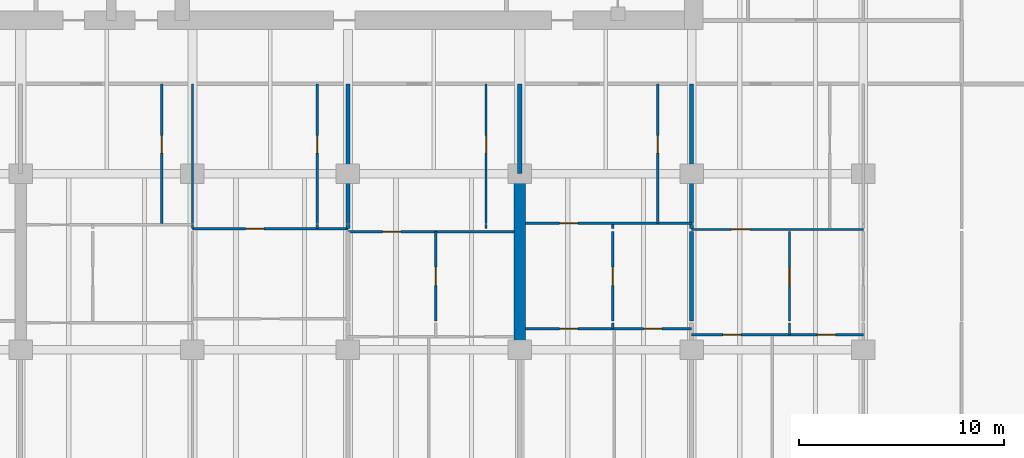
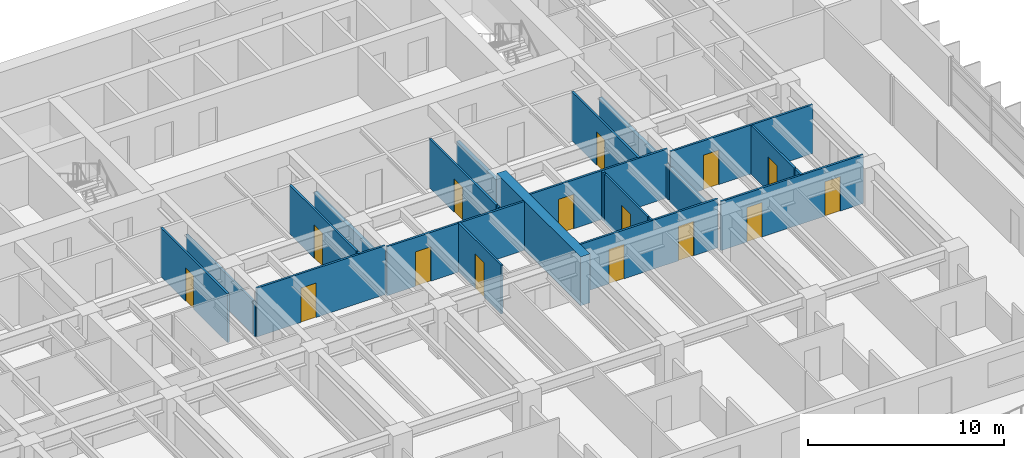
# One storey, part 9 of 18: 27 walls, 15 doors, 15 openings.
"""IFC4 building model written with IfcOpenShell, lengths in metres."""

from ifc_helpers import new_model, si_unit, direction, frame, frame_2d, origin, place, context, subcontext, project, spatial, rectangle, extrude, material, layer, layer_set, type_object, element, fill, save


model = new_model("IFC4")

# Units and contexts
model_context = context("Model", 3, precision=1e-05, world=origin(), true_north=direction((0.0, 1.0)))
body_context = subcontext(model_context, "Body", "Model", "MODEL_VIEW")
ifc_project = project(units=[si_unit("LENGTHUNIT", "METRE"), si_unit("AREAUNIT", "SQUARE_METRE"), si_unit("VOLUMEUNIT", "CUBIC_METRE"), si_unit("PLANEANGLEUNIT", "RADIAN"), si_unit("MASSUNIT", "GRAM", prefix="KILO")], contexts=[model_context])

# Site, building, storey
site_placement = place(None, origin())
site = spatial("IfcSite", under=ifc_project, at=site_placement, CompositionType="ELEMENT")
building_placement = place(site_placement, origin())
building = spatial("IfcBuilding", under=site, at=building_placement, Name="Caelmar Bay Residences", CompositionType="ELEMENT")
storey_placement = place(building_placement, frame((0.0, 0.0, 56.39990234375)))
storey = spatial("IfcBuildingStorey", under=building, at=storey_placement, Name="L14", CompositionType="ELEMENT", Elevation=56.39990234375)

# Wall
ifc_material_1 = material(Name="Concrete f'c 70 MPa (10,000 psi)", Category="concrete")
ifc_layer_1 = layer(ifc_material_1, 0.550048828125)
ifc_layer_set_1 = layer_set([ifc_layer_1], Name="Concrete f'c 70 MPa (10,000 psi)")
wall_type_1 = type_object("IfcWallType", Name="SW-XSLB-550", PredefinedType="SHEAR", material=ifc_layer_set_1)
wall_1_placement = place(storey_placement, frame((51.10009765625, 20.800048828125, 0.0), z_axis=(0.0, 0.0, 1.0), x_axis=(0.0, 1.0, 0.0)))
element("IfcWall", 1, at=wall_1_placement, inside=storey, type_object=wall_type_1, Name="L14 Transverse Cross-Slab Shear Wall E8", PredefinedType="SHEAR", context=body_context, shape_type="SweptSolid", body=[
    extrude(rectangle(XDim=8.599853515625, YDim=0.550048828125, at=frame_2d((4.2998046875, 0.0))), origin(), (0.0, 0.0, 1.0), 3.050048828125),
])

# Wall, opening, door
ifc_material_2 = material(Name="Acoustic metal-stud gypsum partition 120 mm")
ifc_layer_2 = layer(ifc_material_2, 0.1201171875)
ifc_layer_set_2 = layer_set([ifc_layer_2], Name="Acoustic metal-stud gypsum partition 120 mm")
wall_type_2 = type_object("IfcWallType", Name="W-PRT-120", PredefinedType="PARTITIONING", material=ifc_layer_set_2)
wall_2_placement = place(storey_placement, frame((33.60009765625, 26.97998046875, 0.0), z_axis=(0.0, 0.0, 1.0), x_axis=(0.0, 1.0, 0.0)))
wall_2 = element("IfcWall", 2, at=wall_2_placement, inside=storey, type_object=wall_type_2, Name="L14 Partition Wall V036", PredefinedType="PARTITIONING", context=body_context, shape_type="SweptSolid", body=[
    extrude(rectangle(XDim=6.820068359375, YDim=0.1201171875, at=frame_2d((3.41015625, 0.0))), origin(), (0.0, 0.0, 1.0), 3.050048828125),
])
opening_1_placement = place(wall_2_placement, frame((3.43505859375, 0.0, 0.0)))
opening_1 = element("IfcOpeningElement", 3, at=opening_1_placement, cuts=wall_2, Name="Opening D-L14-133", PredefinedType="OPENING", context=body_context, shape_type="SweptSolid", body=[
    extrude(rectangle(XDim=0.85009765625, YDim=2.10009765625, at=frame_2d((0.425048828125, 1.050048828125))), frame((0.0, 0.070068359375, 0.0), z_axis=(0.0, -1.0, 0.0), x_axis=(1.0, 0.0, 0.0)), (0.0, 0.0, 1.0), 0.14013671875),
])
ifc_material_3 = material(Name="Solid walnut timber interior door leaf and frame", Category="wood")
ifc_layer_3 = layer(ifc_material_3, 0.050048828125)
ifc_layer_set_3 = layer_set([ifc_layer_3], Name="Solid walnut timber interior door leaf and frame")
door_type_1 = type_object("IfcDoorType", Name="D-BATH-850", OperationType="NOTDEFINED", PredefinedType="DOOR", material=ifc_layer_set_3)
door_1_placement = place(opening_1_placement, origin())
door_1 = element("IfcDoor", 4, at=door_1_placement, inside=storey, type_object=door_type_1, Name="L14 Residence 02 Guest Bathroom Door", OperationType="SINGLE_SWING_RIGHT", OverallHeight=2.10009765625, OverallWidth=0.85009765625, PredefinedType="DOOR", context=body_context, shape_type="SweptSolid", body=[
    extrude(rectangle(XDim=0.85009765625, YDim=2.10009765625, at=frame_2d((0.425048828125, 1.050048828125))), frame((0.0, 0.02490234375, 0.0), z_axis=(0.0, -1.0, 0.0), x_axis=(1.0, 0.0, 0.0)), (0.0, 0.0, 1.0), 0.050048828125),
])
fill(opening_1, door_1)

# Walls
wall_3_placement = place(storey_placement, frame((35.10009765625, 26.719970703125, 0.0), z_axis=(0.0, 0.0, 1.0), x_axis=(0.0, 1.0, 0.0)))
element("IfcWall", 5, at=wall_3_placement, inside=storey, type_object=wall_type_2, Name="L14 Partition Wall V040", PredefinedType="PARTITIONING", context=body_context, shape_type="SweptSolid", body=[
    extrude(rectangle(XDim=0.199951171875, YDim=0.1201171875, at=frame_2d((0.10009765625, 0.0))), origin(), (0.0, 0.0, 1.0), 2.110107421875),
])
wall_4_placement = place(storey_placement, frame((35.10009765625, 26.97998046875, 0.0), z_axis=(0.0, 0.0, 1.0), x_axis=(0.0, 1.0, 0.0)))
element("IfcWall", 6, at=wall_4_placement, inside=storey, type_object=wall_type_2, Name="L14 Partition Wall V041", PredefinedType="PARTITIONING", context=body_context, shape_type="SweptSolid", body=[
    extrude(rectangle(XDim=6.820068359375, YDim=0.1201171875, at=frame_2d((3.41015625, 0.0))), origin(), (0.0, 0.0, 1.0), 2.110107421875),
])
wall_5_placement = place(storey_placement, frame((41.199951171875, 26.719970703125, 0.0), z_axis=(0.0, 0.0, 1.0), x_axis=(0.0, 1.0, 0.0)))
element("IfcWall", 7, at=wall_5_placement, inside=storey, type_object=wall_type_2, Name="L14 Partition Wall V044", PredefinedType="PARTITIONING", context=body_context, shape_type="SweptSolid", body=[
    extrude(rectangle(XDim=0.199951171875, YDim=0.1201171875, at=frame_2d((0.10009765625, 0.0))), origin(), (0.0, 0.0, 1.0), 3.050048828125),
])

# Wall, opening, door
wall_6_placement = place(storey_placement, frame((41.199951171875, 26.97998046875, 0.0), z_axis=(0.0, 0.0, 1.0), x_axis=(0.0, 1.0, 0.0)))
wall_6 = element("IfcWall", 8, at=wall_6_placement, inside=storey, type_object=wall_type_2, Name="L14 Partition Wall V045", PredefinedType="PARTITIONING", context=body_context, shape_type="SweptSolid", body=[
    extrude(rectangle(XDim=6.820068359375, YDim=0.1201171875, at=frame_2d((3.41015625, 0.0))), origin(), (0.0, 0.0, 1.0), 3.050048828125),
])
opening_2_placement = place(wall_6_placement, frame((3.43505859375, 0.0, 0.0)))
opening_2 = element("IfcOpeningElement", 9, at=opening_2_placement, cuts=wall_6, Name="Opening D-L14-139", PredefinedType="OPENING", context=body_context, shape_type="SweptSolid", body=[
    extrude(rectangle(XDim=0.85009765625, YDim=2.10009765625, at=frame_2d((0.425048828125, 1.050048828125))), frame((0.0, 0.070068359375, 0.0), z_axis=(0.0, -1.0, 0.0), x_axis=(1.0, 0.0, 0.0)), (0.0, 0.0, 1.0), 0.14013671875),
])
door_2_placement = place(opening_2_placement, origin())
door_2 = element("IfcDoor", 10, at=door_2_placement, inside=storey, type_object=door_type_1, Name="L14 Residence 02 En-Suite Bathroom 1 Door", OperationType="SINGLE_SWING_RIGHT", OverallHeight=2.10009765625, OverallWidth=0.85009765625, PredefinedType="DOOR", context=body_context, shape_type="SweptSolid", body=[
    extrude(rectangle(XDim=0.85009765625, YDim=2.10009765625, at=frame_2d((0.425048828125, 1.050048828125))), frame((0.0, 0.02490234375, 0.0), z_axis=(0.0, -1.0, 0.0), x_axis=(1.0, 0.0, 0.0)), (0.0, 0.0, 1.0), 0.050048828125),
])
fill(opening_2, door_2)

wall_7_placement = place(storey_placement, frame((46.986083984375, 22.199951171875, 0.0), z_axis=(0.0, 0.0, 1.0), x_axis=(0.0, 1.0, 0.0)))
wall_7 = element("IfcWall", 11, at=wall_7_placement, inside=storey, type_object=wall_type_2, Name="L14 Partition Wall V058", PredefinedType="PARTITIONING", context=body_context, shape_type="SweptSolid", body=[
    extrude(rectangle(XDim=4.380126953125, YDim=0.1201171875, at=frame_2d((2.18994140625, 0.0))), origin(), (0.0, 0.0, 1.0), 3.050048828125),
])
opening_3_placement = place(wall_7_placement, frame((1.739990234375, 0.0, 0.0)))
opening_3 = element("IfcOpeningElement", 12, at=opening_3_placement, cuts=wall_7, Name="Opening D-L14-145", PredefinedType="OPENING", context=body_context, shape_type="SweptSolid", body=[
    extrude(rectangle(XDim=0.89990234375, YDim=2.14990234375, at=frame_2d((0.449951171875, 1.074951171875))), frame((0.0, 0.070068359375, 0.0), z_axis=(0.0, -1.0, 0.0), x_axis=(1.0, 0.0, 0.0)), (0.0, 0.0, 1.0), 0.14013671875),
])
ifc_layer_4 = layer(ifc_material_3, 0.050048828125)
ifc_layer_set_4 = layer_set([ifc_layer_4], Name="Solid walnut timber interior door leaf and frame")
door_type_2 = type_object("IfcDoorType", Name="D-ROOM-900", OperationType="NOTDEFINED", PredefinedType="DOOR", material=ifc_layer_set_4)
door_3_placement = place(opening_3_placement, origin())
door_3 = element("IfcDoor", 13, at=door_3_placement, inside=storey, type_object=door_type_2, Name="L14 Residence 03 Private Meeting Room Door", OperationType="SINGLE_SWING_RIGHT", OverallHeight=2.14990234375, OverallWidth=0.89990234375, PredefinedType="DOOR", context=body_context, shape_type="SweptSolid", body=[
    extrude(rectangle(XDim=0.89990234375, YDim=2.14990234375, at=frame_2d((0.449951171875, 1.074951171875))), frame((0.0, 0.02490234375, 0.0), z_axis=(0.0, -1.0, 0.0), x_axis=(1.0, 0.0, 0.0)), (0.0, 0.0, 1.0), 0.050048828125),
])
fill(opening_3, door_3)

# Wall
wall_8_placement = place(storey_placement, frame((49.449951171875, 26.719970703125, 0.0), z_axis=(0.0, 0.0, 1.0), x_axis=(0.0, 1.0, 0.0)))
element("IfcWall", 14, at=wall_8_placement, inside=storey, type_object=wall_type_2, Name="L14 Partition Wall V060", PredefinedType="PARTITIONING", context=body_context, shape_type="SweptSolid", body=[
    extrude(rectangle(XDim=0.199951171875, YDim=0.1201171875, at=frame_2d((0.10009765625, 0.0))), origin(), (0.0, 0.0, 1.0), 3.050048828125),
])

# Wall, opening, door
wall_9_placement = place(storey_placement, frame((49.449951171875, 26.97998046875, 0.0), z_axis=(0.0, 0.0, 1.0), x_axis=(0.0, 1.0, 0.0)))
wall_9 = element("IfcWall", 15, at=wall_9_placement, inside=storey, type_object=wall_type_2, Name="L14 Partition Wall V061", PredefinedType="PARTITIONING", context=body_context, shape_type="SweptSolid", body=[
    extrude(rectangle(XDim=6.820068359375, YDim=0.1201171875, at=frame_2d((3.41015625, 0.0))), origin(), (0.0, 0.0, 1.0), 3.050048828125),
])
opening_4_placement = place(wall_9_placement, frame((3.43505859375, 0.0, 0.0)))
opening_4 = element("IfcOpeningElement", 16, at=opening_4_placement, cuts=wall_9, Name="Opening D-L14-143", PredefinedType="OPENING", context=body_context, shape_type="SweptSolid", body=[
    extrude(rectangle(XDim=0.85009765625, YDim=2.10009765625, at=frame_2d((0.425048828125, 1.050048828125))), frame((0.0, 0.070068359375, 0.0), z_axis=(0.0, -1.0, 0.0), x_axis=(1.0, 0.0, 0.0)), (0.0, 0.0, 1.0), 0.14013671875),
])
door_4_placement = place(opening_4_placement, origin())
door_4 = element("IfcDoor", 17, at=door_4_placement, inside=storey, type_object=door_type_1, Name="L14 Residence 03 Bathroom Door", OperationType="SINGLE_SWING_RIGHT", OverallHeight=2.10009765625, OverallWidth=0.85009765625, PredefinedType="DOOR", context=body_context, shape_type="SweptSolid", body=[
    extrude(rectangle(XDim=0.85009765625, YDim=2.10009765625, at=frame_2d((0.425048828125, 1.050048828125))), frame((0.0, 0.02490234375, 0.0), z_axis=(0.0, -1.0, 0.0), x_axis=(1.0, 0.0, 0.0)), (0.0, 0.0, 1.0), 0.050048828125),
])
fill(opening_4, door_4)

# Wall
wall_10_placement = place(storey_placement, frame((55.635986328125, 21.830078125, 0.0), z_axis=(0.0, 0.0, 1.0), x_axis=(0.0, 1.0, 0.0)))
element("IfcWall", 18, at=wall_10_placement, inside=storey, type_object=wall_type_2, Name="L14 Partition Wall V069", PredefinedType="PARTITIONING", context=body_context, shape_type="SweptSolid", body=[
    extrude(rectangle(XDim=0.2900390625, YDim=0.1201171875, at=frame_2d((0.14501953125, 0.0))), origin(), (0.0, 0.0, 1.0), 3.050048828125),
])

# Wall, opening, door
wall_11_placement = place(storey_placement, frame((55.635986328125, 22.199951171875, 0.0), z_axis=(0.0, 0.0, 1.0), x_axis=(0.0, 1.0, 0.0)))
wall_11 = element("IfcWall", 19, at=wall_11_placement, inside=storey, type_object=wall_type_2, Name="L14 Partition Wall V070", PredefinedType="PARTITIONING", context=body_context, shape_type="SweptSolid", body=[
    extrude(rectangle(XDim=4.380126953125, YDim=0.1201171875, at=frame_2d((2.18994140625, 0.0))), origin(), (0.0, 0.0, 1.0), 3.050048828125),
])
opening_5_placement = place(wall_11_placement, frame((1.739990234375, 0.0, 0.0)))
opening_5 = element("IfcOpeningElement", 20, at=opening_5_placement, cuts=wall_11, Name="Opening D-L14-152", PredefinedType="OPENING", context=body_context, shape_type="SweptSolid", body=[
    extrude(rectangle(XDim=0.89990234375, YDim=2.14990234375, at=frame_2d((0.449951171875, 1.074951171875))), frame((0.0, 0.070068359375, 0.0), z_axis=(0.0, -1.0, 0.0), x_axis=(1.0, 0.0, 0.0)), (0.0, 0.0, 1.0), 0.14013671875),
])
door_5_placement = place(opening_5_placement, origin())
door_5 = element("IfcDoor", 21, at=door_5_placement, inside=storey, type_object=door_type_2, Name="L14 Residence 04 Private Meeting Room Door", OperationType="SINGLE_SWING_LEFT", OverallHeight=2.14990234375, OverallWidth=0.89990234375, PredefinedType="DOOR", context=body_context, shape_type="SweptSolid", body=[
    extrude(rectangle(XDim=0.89990234375, YDim=2.14990234375, at=frame_2d((0.449951171875, 1.074951171875))), frame((0.0, 0.02490234375, 0.0), z_axis=(0.0, -1.0, 0.0), x_axis=(1.0, 0.0, 0.0)), (0.0, 0.0, 1.0), 0.050048828125),
])
fill(opening_5, door_5)

# Wall
wall_12_placement = place(storey_placement, frame((55.635986328125, 26.719970703125, 0.0), z_axis=(0.0, 0.0, 1.0), x_axis=(0.0, 1.0, 0.0)))
element("IfcWall", 22, at=wall_12_placement, inside=storey, type_object=wall_type_2, Name="L14 Partition Wall V071", PredefinedType="PARTITIONING", context=body_context, shape_type="SweptSolid", body=[
    extrude(rectangle(XDim=0.199951171875, YDim=0.1201171875, at=frame_2d((0.10009765625, 0.0))), origin(), (0.0, 0.0, 1.0), 3.050048828125),
])

# Wall, opening, door
wall_13_placement = place(storey_placement, frame((57.85009765625, 26.97998046875, 0.0), z_axis=(0.0, 0.0, 1.0), x_axis=(0.0, 1.0, 0.0)))
wall_13 = element("IfcWall", 23, at=wall_13_placement, inside=storey, type_object=wall_type_2, Name="L14 Partition Wall V075", PredefinedType="PARTITIONING", context=body_context, shape_type="SweptSolid", body=[
    extrude(rectangle(XDim=6.820068359375, YDim=0.1201171875, at=frame_2d((3.41015625, 0.0))), origin(), (0.0, 0.0, 1.0), 3.050048828125),
])
opening_6_placement = place(wall_13_placement, frame((3.43505859375, 0.0, 0.0)))
opening_6 = element("IfcOpeningElement", 24, at=opening_6_placement, cuts=wall_13, Name="Opening D-L14-150", PredefinedType="OPENING", context=body_context, shape_type="SweptSolid", body=[
    extrude(rectangle(XDim=0.85009765625, YDim=2.10009765625, at=frame_2d((0.425048828125, 1.050048828125))), frame((0.0, 0.070068359375, 0.0), z_axis=(0.0, -1.0, 0.0), x_axis=(1.0, 0.0, 0.0)), (0.0, 0.0, 1.0), 0.14013671875),
])
door_6_placement = place(opening_6_placement, origin())
door_6 = element("IfcDoor", 25, at=door_6_placement, inside=storey, type_object=door_type_1, Name="L14 Residence 04 Bathroom Door", OperationType="SINGLE_SWING_LEFT", OverallHeight=2.10009765625, OverallWidth=0.85009765625, PredefinedType="DOOR", context=body_context, shape_type="SweptSolid", body=[
    extrude(rectangle(XDim=0.85009765625, YDim=2.10009765625, at=frame_2d((0.425048828125, 1.050048828125))), frame((0.0, 0.02490234375, 0.0), z_axis=(0.0, -1.0, 0.0), x_axis=(1.0, 0.0, 0.0)), (0.0, 0.0, 1.0), 0.050048828125),
])
fill(opening_6, door_6)

# Wall
wall_14_placement = place(storey_placement, frame((64.285888671875, 21.530029296875, 0.0), z_axis=(0.0, 0.0, 1.0), x_axis=(0.0, 1.0, 0.0)))
element("IfcWall", 26, at=wall_14_placement, inside=storey, type_object=wall_type_2, Name="L14 Partition Wall V084", PredefinedType="PARTITIONING", context=body_context, shape_type="SweptSolid", body=[
    extrude(rectangle(XDim=0.590087890625, YDim=0.1201171875, at=frame_2d((0.294921875, 0.0))), origin(), (0.0, 0.0, 1.0), 3.050048828125),
])

# Wall, opening, door
wall_15_placement = place(storey_placement, frame((64.285888671875, 22.199951171875, 0.0), z_axis=(0.0, 0.0, 1.0), x_axis=(0.0, 1.0, 0.0)))
wall_15 = element("IfcWall", 27, at=wall_15_placement, inside=storey, type_object=wall_type_2, Name="L14 Partition Wall V085", PredefinedType="PARTITIONING", context=body_context, shape_type="SweptSolid", body=[
    extrude(rectangle(XDim=4.380126953125, YDim=0.1201171875, at=frame_2d((2.18994140625, 0.0))), origin(), (0.0, 0.0, 1.0), 3.050048828125),
])
opening_7_placement = place(wall_15_placement, frame((1.739990234375, 0.0, 0.0)))
opening_7 = element("IfcOpeningElement", 28, at=opening_7_placement, cuts=wall_15, Name="Opening D-L14-159", PredefinedType="OPENING", context=body_context, shape_type="SweptSolid", body=[
    extrude(rectangle(XDim=0.89990234375, YDim=2.14990234375, at=frame_2d((0.449951171875, 1.074951171875))), frame((0.0, 0.070068359375, 0.0), z_axis=(0.0, -1.0, 0.0), x_axis=(1.0, 0.0, 0.0)), (0.0, 0.0, 1.0), 0.14013671875),
])
door_7_placement = place(opening_7_placement, origin())
door_7 = element("IfcDoor", 29, at=door_7_placement, inside=storey, type_object=door_type_2, Name="L14 Residence 05 Private Meeting Room Door", OperationType="SINGLE_SWING_RIGHT", OverallHeight=2.14990234375, OverallWidth=0.89990234375, PredefinedType="DOOR", context=body_context, shape_type="SweptSolid", body=[
    extrude(rectangle(XDim=0.89990234375, YDim=2.14990234375, at=frame_2d((0.449951171875, 1.074951171875))), frame((0.0, 0.02490234375, 0.0), z_axis=(0.0, -1.0, 0.0), x_axis=(1.0, 0.0, 0.0)), (0.0, 0.0, 1.0), 0.050048828125),
])
fill(opening_7, door_7)

# Wall, openings, doors
wall_16_placement = place(storey_placement, frame((59.5, 21.530029296875, 0.0), z_axis=(0.0, 0.0, 1.0), x_axis=(1.0, 0.0, 0.0)))
wall_16 = element("IfcWall", 30, at=wall_16_placement, inside=storey, type_object=wall_type_2, Name="L14 Partition Wall H106", PredefinedType="PARTITIONING", context=body_context, shape_type="SweptSolid", body=[
    extrude(rectangle(XDim=8.39990234375, YDim=0.1201171875, at=frame_2d((4.199951171875, 0.0))), origin(), (0.0, 0.0, 1.0), 3.050048828125),
])
opening_8_placement = place(wall_16_placement, frame((1.52392578125, 0.0, 0.0)))
opening_8 = element("IfcOpeningElement", 31, at=opening_8_placement, cuts=wall_16, Name="Opening D-L14-160", PredefinedType="OPENING", context=body_context, shape_type="SweptSolid", body=[
    extrude(rectangle(XDim=0.89990234375, YDim=2.14990234375, at=frame_2d((0.449951171875, 1.074951171875))), frame((0.0, 0.070068359375, 0.0), z_axis=(0.0, -1.0, 0.0), x_axis=(1.0, 0.0, 0.0)), (0.0, 0.0, 1.0), 0.14013671875),
])
opening_9_placement = place(wall_16_placement, frame((6.14306640625, 0.0, 0.0)))
opening_9 = element("IfcOpeningElement", 32, at=opening_9_placement, cuts=wall_16, Name="Opening D-L14-161", PredefinedType="OPENING", context=body_context, shape_type="SweptSolid", body=[
    extrude(rectangle(XDim=0.89990234375, YDim=2.14990234375, at=frame_2d((0.449951171875, 1.074951171875))), frame((0.0, 0.070068359375, 0.0), z_axis=(0.0, -1.0, 0.0), x_axis=(1.0, 0.0, 0.0)), (0.0, 0.0, 1.0), 0.14013671875),
])
door_8_placement = place(opening_8_placement, origin())
door_8 = element("IfcDoor", 33, at=door_8_placement, inside=storey, type_object=door_type_2, Name="L14 Residence 05 Living Room Door", OperationType="SINGLE_SWING_LEFT", OverallHeight=2.14990234375, OverallWidth=0.89990234375, PredefinedType="DOOR", context=body_context, shape_type="SweptSolid", body=[
    extrude(rectangle(XDim=0.89990234375, YDim=2.14990234375, at=frame_2d((0.449951171875, 1.074951171875))), frame((0.0, 0.02490234375, 0.0), z_axis=(0.0, -1.0, 0.0), x_axis=(1.0, 0.0, 0.0)), (0.0, 0.0, 1.0), 0.050048828125),
])
fill(opening_8, door_8)
door_9_placement = place(opening_9_placement, origin())
door_9 = element("IfcDoor", 34, at=door_9_placement, inside=storey, type_object=door_type_2, Name="L14 Residence 05 Penthouse Sitting Room Door", OperationType="SINGLE_SWING_RIGHT", OverallHeight=2.14990234375, OverallWidth=0.89990234375, PredefinedType="DOOR", context=body_context, shape_type="SweptSolid", body=[
    extrude(rectangle(XDim=0.89990234375, YDim=2.14990234375, at=frame_2d((0.449951171875, 1.074951171875))), frame((0.0, 0.02490234375, 0.0), z_axis=(0.0, -1.0, 0.0), x_axis=(1.0, 0.0, 0.0)), (0.0, 0.0, 1.0), 0.050048828125),
])
fill(opening_9, door_9)

wall_17_placement = place(storey_placement, frame((51.3701171875, 21.830078125, 0.0), z_axis=(0.0, 0.0, 1.0), x_axis=(1.0, 0.0, 0.0)))
wall_17 = element("IfcWall", 35, at=wall_17_placement, inside=storey, type_object=wall_type_2, Name="L14 Partition Wall H107", PredefinedType="PARTITIONING", context=body_context, shape_type="SweptSolid", body=[
    extrude(rectangle(XDim=8.1298828125, YDim=0.1201171875, at=frame_2d((4.06494140625, 0.0))), origin(), (0.0, 0.0, 1.0), 3.050048828125),
])
opening_10_placement = place(wall_17_placement, frame((1.68310546875, 0.0, 0.0)))
opening_10 = element("IfcOpeningElement", 36, at=opening_10_placement, cuts=wall_17, Name="Opening D-L14-153", PredefinedType="OPENING", context=body_context, shape_type="SweptSolid", body=[
    extrude(rectangle(XDim=0.89990234375, YDim=2.14990234375, at=frame_2d((0.449951171875, 1.074951171875))), frame((0.0, 0.070068359375, 0.0), z_axis=(0.0, -1.0, 0.0), x_axis=(1.0, 0.0, 0.0)), (0.0, 0.0, 1.0), 0.14013671875),
])
opening_11_placement = place(wall_17_placement, frame((5.7900390625, 0.0, 0.0)))
opening_11 = element("IfcOpeningElement", 37, at=opening_11_placement, cuts=wall_17, Name="Opening D-L14-154", PredefinedType="OPENING", context=body_context, shape_type="SweptSolid", body=[
    extrude(rectangle(XDim=0.89990234375, YDim=2.14990234375, at=frame_2d((0.449951171875, 1.074951171875))), frame((0.0, 0.070068359375, 0.0), z_axis=(0.0, -1.0, 0.0), x_axis=(1.0, 0.0, 0.0)), (0.0, 0.0, 1.0), 0.14013671875),
])
door_10_placement = place(opening_10_placement, origin())
door_10 = element("IfcDoor", 38, at=door_10_placement, inside=storey, type_object=door_type_2, Name="L14 Residence 04 Penthouse Living Salon Door", OperationType="SINGLE_SWING_RIGHT", OverallHeight=2.14990234375, OverallWidth=0.89990234375, PredefinedType="DOOR", context=body_context, shape_type="SweptSolid", body=[
    extrude(rectangle(XDim=0.89990234375, YDim=2.14990234375, at=frame_2d((0.449951171875, 1.074951171875))), frame((0.0, 0.02490234375, 0.0), z_axis=(0.0, -1.0, 0.0), x_axis=(1.0, 0.0, 0.0)), (0.0, 0.0, 1.0), 0.050048828125),
])
fill(opening_10, door_10)
door_11_placement = place(opening_11_placement, origin())
door_11 = element("IfcDoor", 39, at=door_11_placement, inside=storey, type_object=door_type_2, Name="L14 Residence 04 Penthouse Sitting Room Door", OperationType="SINGLE_SWING_LEFT", OverallHeight=2.14990234375, OverallWidth=0.89990234375, PredefinedType="DOOR", context=body_context, shape_type="SweptSolid", body=[
    extrude(rectangle(XDim=0.89990234375, YDim=2.14990234375, at=frame_2d((0.449951171875, 1.074951171875))), frame((0.0, 0.02490234375, 0.0), z_axis=(0.0, -1.0, 0.0), x_axis=(1.0, 0.0, 0.0)), (0.0, 0.0, 1.0), 0.050048828125),
])
fill(opening_11, door_11)

# Wall, opening, door
wall_18_placement = place(storey_placement, frame((42.699951171875, 26.580078125, 0.0), z_axis=(0.0, 0.0, 1.0), x_axis=(1.0, 0.0, 0.0)))
wall_18 = element("IfcWall", 40, at=wall_18_placement, inside=storey, type_object=wall_type_2, Name="L14 Partition Wall H112", PredefinedType="PARTITIONING", context=body_context, shape_type="SweptSolid", body=[
    extrude(rectangle(XDim=8.130126953125, YDim=0.1201171875, at=frame_2d((4.06494140625, 0.0))), origin(), (0.0, 0.0, 1.0), 3.050048828125),
])
opening_12_placement = place(wall_18_placement, frame((1.693115234375, 0.0, 0.0)))
opening_12 = element("IfcOpeningElement", 41, at=opening_12_placement, cuts=wall_18, Name="Opening D-L14-144", PredefinedType="OPENING", context=body_context, shape_type="SweptSolid", body=[
    extrude(rectangle(XDim=0.89990234375, YDim=2.14990234375, at=frame_2d((0.449951171875, 1.074951171875))), frame((0.0, 0.070068359375, 0.0), z_axis=(0.0, -1.0, 0.0), x_axis=(1.0, 0.0, 0.0)), (0.0, 0.0, 1.0), 0.14013671875),
])
door_12_placement = place(opening_12_placement, origin())
door_12 = element("IfcDoor", 42, at=door_12_placement, inside=storey, type_object=door_type_2, Name="L14 Residence 03 Kitchen Door", OperationType="SINGLE_SWING_LEFT", OverallHeight=2.14990234375, OverallWidth=0.89990234375, PredefinedType="DOOR", context=body_context, shape_type="SweptSolid", body=[
    extrude(rectangle(XDim=0.89990234375, YDim=2.14990234375, at=frame_2d((0.449951171875, 1.074951171875))), frame((0.0, 0.02490234375, 0.0), z_axis=(0.0, -1.0, 0.0), x_axis=(1.0, 0.0, 0.0)), (0.0, 0.0, 1.0), 0.050048828125),
])
fill(opening_12, door_12)

wall_19_placement = place(storey_placement, frame((59.5, 26.679931640625, 0.0), z_axis=(0.0, 0.0, 1.0), x_axis=(1.0, 0.0, 0.0)))
wall_19 = element("IfcWall", 43, at=wall_19_placement, inside=storey, type_object=wall_type_2, Name="L14 Partition Wall H114", PredefinedType="PARTITIONING", context=body_context, shape_type="SweptSolid", body=[
    extrude(rectangle(XDim=8.39990234375, YDim=0.1201171875, at=frame_2d((4.199951171875, 0.0))), origin(), (0.0, 0.0, 1.0), 3.050048828125),
])
opening_13_placement = place(wall_19_placement, frame((1.943115234375, 0.0, 0.0)))
opening_13 = element("IfcOpeningElement", 44, at=opening_13_placement, cuts=wall_19, Name="Opening D-L14-158", PredefinedType="OPENING", context=body_context, shape_type="SweptSolid", body=[
    extrude(rectangle(XDim=0.89990234375, YDim=2.14990234375, at=frame_2d((0.449951171875, 1.074951171875))), frame((0.0, 0.070068359375, 0.0), z_axis=(0.0, -1.0, 0.0), x_axis=(1.0, 0.0, 0.0)), (0.0, 0.0, 1.0), 0.14013671875),
])
door_13_placement = place(opening_13_placement, origin())
door_13 = element("IfcDoor", 45, at=door_13_placement, inside=storey, type_object=door_type_2, Name="L14 Residence 05 Kitchen Door", OperationType="SINGLE_SWING_LEFT", OverallHeight=2.14990234375, OverallWidth=0.89990234375, PredefinedType="DOOR", context=body_context, shape_type="SweptSolid", body=[
    extrude(rectangle(XDim=0.89990234375, YDim=2.14990234375, at=frame_2d((0.449951171875, 1.074951171875))), frame((0.0, 0.02490234375, 0.0), z_axis=(0.0, -1.0, 0.0), x_axis=(1.0, 0.0, 0.0)), (0.0, 0.0, 1.0), 0.050048828125),
])
fill(opening_13, door_13)

wall_20_placement = place(storey_placement, frame((35.10009765625, 26.719970703125, 0.0), z_axis=(0.0, 0.0, 1.0), x_axis=(1.0, 0.0, 0.0)))
wall_20 = element("IfcWall", 46, at=wall_20_placement, inside=storey, type_object=wall_type_2, Name="L14 Partition Wall H115", PredefinedType="PARTITIONING", context=body_context, shape_type="SweptSolid", body=[
    extrude(rectangle(XDim=7.594970703125, YDim=0.1201171875, at=frame_2d((3.79736328125, 0.0))), origin(), (0.0, 0.0, 1.0), 3.050048828125),
])
opening_14_placement = place(wall_20_placement, frame((2.60009765625, 0.0, 0.0)))
opening_14 = element("IfcOpeningElement", 47, at=opening_14_placement, cuts=wall_20, Name="Opening D-L14-138", PredefinedType="OPENING", context=body_context, shape_type="SweptSolid", body=[
    extrude(rectangle(XDim=0.89990234375, YDim=2.14990234375, at=frame_2d((0.449951171875, 1.074951171875))), frame((0.0, 0.070068359375, 0.0), z_axis=(0.0, -1.0, 0.0), x_axis=(1.0, 0.0, 0.0)), (0.0, 0.0, 1.0), 0.14013671875),
])
door_14_placement = place(opening_14_placement, origin())
door_14 = element("IfcDoor", 48, at=door_14_placement, inside=storey, type_object=door_type_2, Name="L14 Residence 02 Private Meeting Room 1 Door", OperationType="SINGLE_SWING_LEFT", OverallHeight=2.14990234375, OverallWidth=0.89990234375, PredefinedType="DOOR", context=body_context, shape_type="SweptSolid", body=[
    extrude(rectangle(XDim=0.89990234375, YDim=2.14990234375, at=frame_2d((0.449951171875, 1.074951171875))), frame((0.0, 0.02490234375, 0.0), z_axis=(0.0, -1.0, 0.0), x_axis=(1.0, 0.0, 0.0)), (0.0, 0.0, 1.0), 0.050048828125),
])
fill(opening_14, door_14)

wall_21_placement = place(storey_placement, frame((51.3701171875, 26.97998046875, 0.0), z_axis=(0.0, 0.0, 1.0), x_axis=(1.0, 0.0, 0.0)))
wall_21 = element("IfcWall", 49, at=wall_21_placement, inside=storey, type_object=wall_type_2, Name="L14 Partition Wall H118", PredefinedType="PARTITIONING", context=body_context, shape_type="SweptSolid", body=[
    extrude(rectangle(XDim=8.1298828125, YDim=0.1201171875, at=frame_2d((4.06494140625, 0.0))), origin(), (0.0, 0.0, 1.0), 3.050048828125),
])
opening_15_placement = place(wall_21_placement, frame((1.68310546875, 0.0, 0.0)))
opening_15 = element("IfcOpeningElement", 50, at=opening_15_placement, cuts=wall_21, Name="Opening D-L14-151", PredefinedType="OPENING", context=body_context, shape_type="SweptSolid", body=[
    extrude(rectangle(XDim=0.89990234375, YDim=2.14990234375, at=frame_2d((0.449951171875, 1.074951171875))), frame((0.0, 0.070068359375, 0.0), z_axis=(0.0, -1.0, 0.0), x_axis=(1.0, 0.0, 0.0)), (0.0, 0.0, 1.0), 0.14013671875),
])
door_15_placement = place(opening_15_placement, origin())
door_15 = element("IfcDoor", 51, at=door_15_placement, inside=storey, type_object=door_type_2, Name="L14 Residence 04 Kitchen Door", OperationType="SINGLE_SWING_RIGHT", OverallHeight=2.14990234375, OverallWidth=0.89990234375, PredefinedType="DOOR", context=body_context, shape_type="SweptSolid", body=[
    extrude(rectangle(XDim=0.89990234375, YDim=2.14990234375, at=frame_2d((0.449951171875, 1.074951171875))), frame((0.0, 0.02490234375, 0.0), z_axis=(0.0, -1.0, 0.0), x_axis=(1.0, 0.0, 0.0)), (0.0, 0.0, 1.0), 0.050048828125),
])
fill(opening_15, door_15)

# Walls
ifc_material_4 = material(Name="Acoustic twin-stud fire-rated inter-tenancy partition 200 mm")
ifc_layer_5 = layer(ifc_material_4, 0.199951171875)
ifc_layer_set_5 = layer_set([ifc_layer_5], Name="Acoustic twin-stud fire-rated inter-tenancy partition 200 mm")
wall_type_3 = type_object("IfcWallType", Name="W-PTY-200", PredefinedType="PARTITIONING", material=ifc_layer_set_5)
wall_22_placement = place(storey_placement, frame((42.699951171875, 26.719970703125, 0.0), z_axis=(0.0, 0.0, 1.0), x_axis=(0.0, 1.0, 0.0)))
element("IfcWall", 52, at=wall_22_placement, inside=storey, type_object=wall_type_3, Name="L14 Partition Wall V050", PredefinedType="PARTITIONING", context=body_context, shape_type="SweptSolid", body=[
    extrude(rectangle(XDim=0.199951171875, YDim=0.199951171875, at=frame_2d((0.10009765625, 0.0))), origin(), (0.0, 0.0, 1.0), 2.110107421875),
])
wall_23_placement = place(storey_placement, frame((42.699951171875, 26.97998046875, 0.0), z_axis=(0.0, 0.0, 1.0), x_axis=(0.0, 1.0, 0.0)))
element("IfcWall", 53, at=wall_23_placement, inside=storey, type_object=wall_type_3, Name="L14 Partition Wall V051", PredefinedType="PARTITIONING", context=body_context, shape_type="SweptSolid", body=[
    extrude(rectangle(XDim=6.820068359375, YDim=0.199951171875, at=frame_2d((3.41015625, 0.0))), origin(), (0.0, 0.0, 1.0), 2.110107421875),
])
wall_24_placement = place(storey_placement, frame((51.10009765625, 29.405029296875, 0.0), z_axis=(0.0, 0.0, 1.0), x_axis=(0.0, 1.0, 0.0)))
element("IfcWall", 54, at=wall_24_placement, inside=storey, type_object=wall_type_3, Name="L14 Partition Wall V067", PredefinedType="PARTITIONING", context=body_context, shape_type="SweptSolid", body=[
    extrude(rectangle(XDim=4.39501953125, YDim=0.199951171875, at=frame_2d((2.197509765625, 0.0))), origin(), (0.0, 0.0, 1.0), 2.335205078125),
])
wall_25_placement = place(storey_placement, frame((59.5, 22.199951171875, 0.0), z_axis=(0.0, 0.0, 1.0), x_axis=(0.0, 1.0, 0.0)))
element("IfcWall", 55, at=wall_25_placement, inside=storey, type_object=wall_type_3, Name="L14 Partition Wall V078", PredefinedType="PARTITIONING", context=body_context, shape_type="SweptSolid", body=[
    extrude(rectangle(XDim=4.380126953125, YDim=0.199951171875, at=frame_2d((2.18994140625, 0.0))), origin(), (0.0, 0.0, 1.0), 2.110107421875),
])
wall_26_placement = place(storey_placement, frame((59.5, 26.719970703125, 0.0), z_axis=(0.0, 0.0, 1.0), x_axis=(0.0, 1.0, 0.0)))
element("IfcWall", 56, at=wall_26_placement, inside=storey, type_object=wall_type_3, Name="L14 Partition Wall V079", PredefinedType="PARTITIONING", context=body_context, shape_type="SweptSolid", body=[
    extrude(rectangle(XDim=0.199951171875, YDim=0.199951171875, at=frame_2d((0.10009765625, 0.0))), origin(), (0.0, 0.0, 1.0), 2.110107421875),
])
wall_27_placement = place(storey_placement, frame((59.5, 26.97998046875, 0.0), z_axis=(0.0, 0.0, 1.0), x_axis=(0.0, 1.0, 0.0)))
element("IfcWall", 57, at=wall_27_placement, inside=storey, type_object=wall_type_3, Name="L14 Partition Wall V080", PredefinedType="PARTITIONING", context=body_context, shape_type="SweptSolid", body=[
    extrude(rectangle(XDim=6.820068359375, YDim=0.199951171875, at=frame_2d((3.41015625, 0.0))), origin(), (0.0, 0.0, 1.0), 2.110107421875),
])

save(model, "model.ifc")
